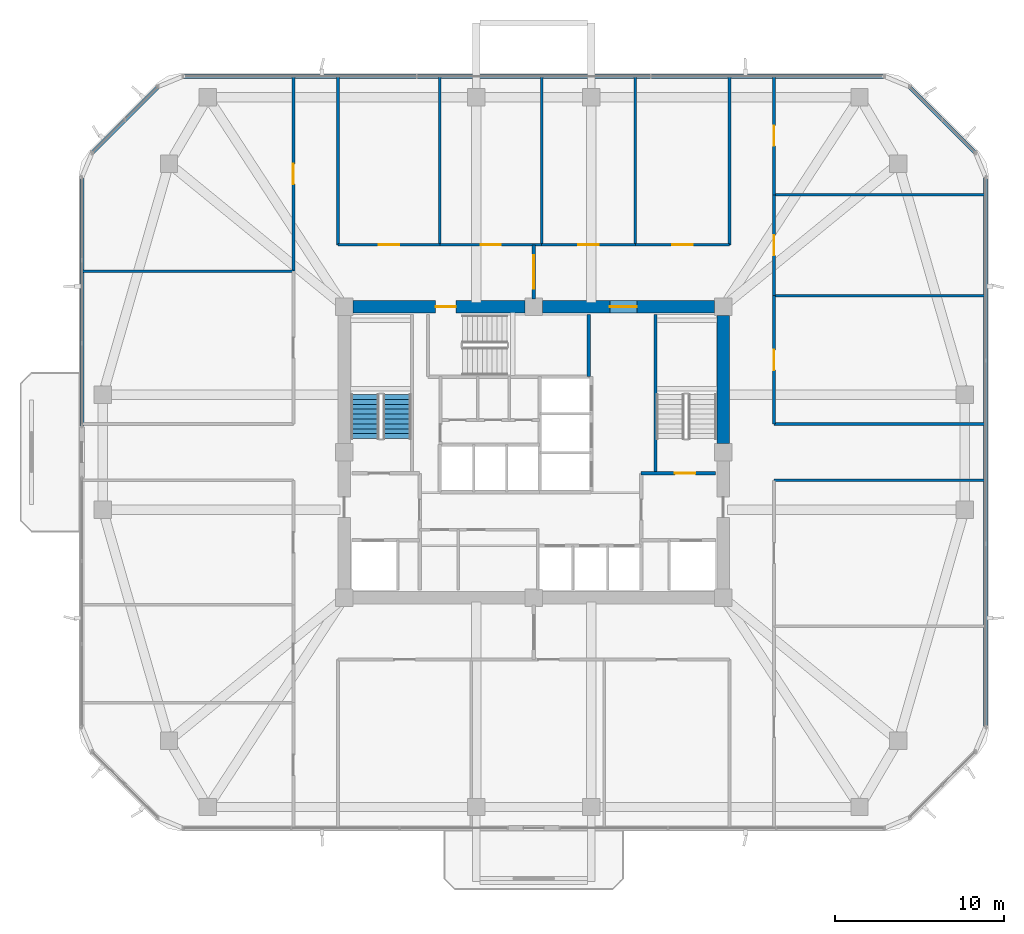
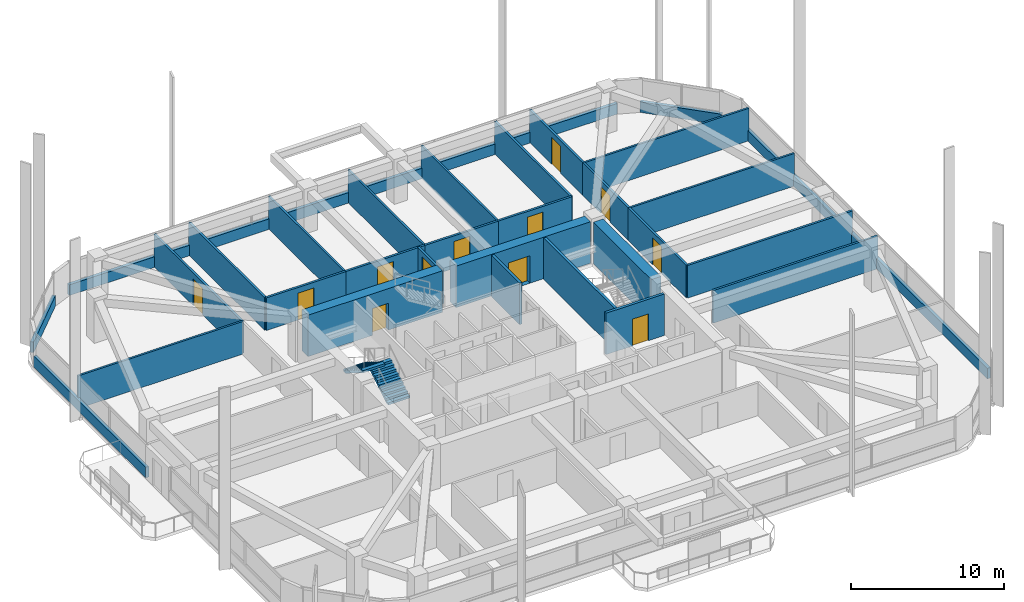
# One storey, part 10 of 15: 30 walls, 12 doors, 2 stair flights, 12 openings, 1 element without a shape of its own.
"""IFC4 building model written with IfcOpenShell, lengths in metres."""

from ifc_helpers import new_model, si_unit, derived_unit, direction, frame, frame_2d, origin, place, context, subcontext, project, spatial, polyline, rectangle, outline, extrude, material, layer, layer_set, type_object, element, fill, aggregate, save


model = new_model("IFC4")

# Units and contexts
model_context = context("Model", 3, precision=1e-05, world=origin(), true_north=direction((0.0, 1.0)))
body_context = subcontext(model_context, "Body", "Model", "MODEL_VIEW")
ifc_project = project(units=[si_unit("LENGTHUNIT", "METRE"), si_unit("AREAUNIT", "SQUARE_METRE"), si_unit("VOLUMEUNIT", "CUBIC_METRE"), si_unit("PLANEANGLEUNIT", "RADIAN"), si_unit("MASSUNIT", "GRAM", prefix="KILO"), derived_unit("THERMALTRANSMITTANCEUNIT", [(si_unit("POWERUNIT", "WATT"), 1), (si_unit("LENGTHUNIT", "METRE"), -2), (si_unit("THERMODYNAMICTEMPERATUREUNIT", "KELVIN"), -1)])], contexts=[model_context])

# Site, building, storey
site_placement = place(None, origin())
site = spatial("IfcSite", under=ifc_project, at=site_placement, CompositionType="ELEMENT")
building_placement = place(site_placement, origin())
building = spatial("IfcBuilding", under=site, at=building_placement, Name="Koralith Skygarden Medical Center", CompositionType="ELEMENT")
storey_placement = place(building_placement, frame((0.0, 0.0, 84.780029296875)))
storey = spatial("IfcBuildingStorey", under=building, at=storey_placement, Name="L21", CompositionType="ELEMENT", Elevation=84.780029296875)

# Walls
ifc_material_1 = material(Name="Gypsum Board Partition")
ifc_layer_1 = layer(ifc_material_1, 0.14990234375)
ifc_layer_set_1 = layer_set([ifc_layer_1], Name="Gypsum Board Partition")
wall_type_1 = type_object("IfcWallType", Name="Clinical Acoustic Partition 150", PredefinedType="PARTITIONING", material=ifc_layer_set_1)
for number, where, z_axis, x_axis, name in (
    (1, (31.450927734375, 38.159912109375, 0.0), (0.0, 0.0, 1.0), (0.0, 1.0, 0.0), "L21 Clinical Acoustic Partition 150 W-PART-L21-N-01"),
    (2, (37.4619140625, 38.159912109375, 0.0), (0.0, 0.0, 1.0), (0.0, 1.0, 0.0), "L21 Clinical Acoustic Partition 150 W-PART-L21-N-02"),
    (3, (43.010986328125, 38.159912109375, 0.0), (0.0, 0.0, 1.0), (0.0, 1.0, 0.0), "L21 Clinical Acoustic Partition 150 W-PART-L21-N-03"),
):
    element("IfcWall", number, at=place(storey_placement, frame(where, z_axis=z_axis, x_axis=x_axis)), inside=storey, type_object=wall_type_1, Name=name, PredefinedType="PARTITIONING", context=body_context, shape_type="SweptSolid", body=[
        extrude(rectangle(XDim=9.940185546875, YDim=0.14990234375, at=frame_2d((4.97021484375, 0.0))), origin(), (0.0, 0.0, 1.0), 2.60986328125),
    ])
for number, where, z_axis, x_axis, name in (
    (4, (22.7900390625, 36.597900390625, 0.0), (0.0, 0.0, 1.0), (-1.0, 0.0, 0.0), "L21 Clinical Acoustic Partition 150 W-PART-L21-WN-01"),
    (5, (51.2099609375, 35.15087890625, 0.0), (0.0, 0.0, 1.0), (1.0, 0.0, 0.0), "L21 Clinical Acoustic Partition 150 W-PART-L21-EN-01"),
    (6, (51.2099609375, 41.115966796875, 0.0), (0.0, 0.0, 1.0), (1.0, 0.0, 0.0), "L21 Clinical Acoustic Partition 150 W-PART-L21-EN-02"),
):
    element("IfcWall", number, at=place(storey_placement, frame(where, z_axis=z_axis, x_axis=x_axis)), inside=storey, type_object=wall_type_1, Name=name, PredefinedType="PARTITIONING", context=body_context, shape_type="SweptSolid", body=[
        extrude(rectangle(XDim=12.489990234375, YDim=0.14990234375, at=frame_2d((6.2451171875, 0.0))), origin(), (0.0, 0.0, 1.0), 2.60986328125),
    ])
ifc_layer_2 = layer(ifc_material_1, 0.1650390625)
ifc_layer_set_2 = layer_set([ifc_layer_2], Name="Gypsum Board Partition")
wall_type_2 = type_object("IfcWallType", Name="Clinical Corridor Partition 165", PredefinedType="PARTITIONING", material=ifc_layer_set_2)
for number, where, z_axis, x_axis, name in (
    (7, (25.429931640625, 38.159912109375, 0.0), (0.0, 0.0, 1.0), (0.0, 1.0, 0.0), "L21 Clinical Corridor Partition 165 W-HCOR-L21-NW"),
    (8, (48.570068359375, 38.159912109375, 0.0), (0.0, 0.0, 1.0), (0.0, 1.0, 0.0), "L21 Clinical Corridor Partition 165 W-HCOR-L21-NE"),
):
    element("IfcWall", number, at=place(storey_placement, frame(where, z_axis=z_axis, x_axis=x_axis)), inside=storey, type_object=wall_type_2, Name=name, PredefinedType="PARTITIONING", context=body_context, shape_type="SweptSolid", body=[
        extrude(rectangle(XDim=9.940185546875, YDim=0.1650390625, at=frame_2d((4.97021484375, 0.0))), origin(), (0.0, 0.0, 1.0), 2.60986328125),
    ])
for number, where, z_axis, x_axis, name in (
    (9, (51.2099609375, 24.239990234375, 0.0), (0.0, 0.0, 1.0), (1.0, 0.0, 0.0), "L21 Clinical Corridor Partition 165 W-HCOR-L21-EWS-E"),
    (10, (51.2099609375, 27.56005859375, 0.0), (0.0, 0.0, 1.0), (1.0, 0.0, 0.0), "L21 Clinical Corridor Partition 165 W-HCOR-L21-EWN-E"),
):
    element("IfcWall", number, at=place(storey_placement, frame(where, z_axis=z_axis, x_axis=x_axis)), inside=storey, type_object=wall_type_2, Name=name, PredefinedType="PARTITIONING", context=body_context, shape_type="SweptSolid", body=[
        extrude(rectangle(XDim=12.489990234375, YDim=0.1650390625, at=frame_2d((6.2451171875, 0.0))), origin(), (0.0, 0.0, 1.0), 2.60986328125),
    ])

# Wall, opening, door
wall_1_placement = place(storey_placement, frame((25.429931640625, 38.159912109375, 0.0), z_axis=(0.0, 0.0, 1.0), x_axis=(1.0, 0.0, 0.0)))
wall_1 = element("IfcWall", 11, at=wall_1_placement, inside=storey, type_object=wall_type_2, Name="L21 Clinical Corridor Partition 165 W-CORR-L21-N-01", PredefinedType="PARTITIONING", context=body_context, shape_type="SweptSolid", body=[
    extrude(rectangle(XDim=6.02099609375, YDim=0.1650390625, at=frame_2d((3.010498046875, 0.0))), origin(), (0.0, 0.0, 1.0), 2.60986328125),
])
opening_1_placement = place(wall_1_placement, frame((2.410888671875, 0.0, 0.0)))
opening_1 = element("IfcOpeningElement", 12, at=opening_1_placement, cuts=wall_1, Name="Opening D-CLN", PredefinedType="OPENING", context=body_context, shape_type="SweptSolid", body=[
    extrude(rectangle(XDim=1.199951171875, YDim=2.14990234375, at=frame_2d((0.60009765625, 1.074951171875))), frame((0.0, 0.092529296875, 0.0), z_axis=(0.0, -1.0, 0.0), x_axis=(1.0, 0.0, 0.0)), (0.0, 0.0, 1.0), 0.18505859375),
])
ifc_material_2 = material(Name="Aluminium 6063-T6", Category="aluminium")
door_type_1 = type_object("IfcDoorType", Name="Clinical Corridor Door D-CLN 1200", OperationType="NOTDEFINED", PredefinedType="DOOR", material=ifc_material_2)
door_1_placement = place(opening_1_placement, origin())
door_1 = element("IfcDoor", 13, at=door_1_placement, inside=storey, type_object=door_type_1, Name="L21 Physician Consultation Office 01 Door", OperationType="SINGLE_SWING_RIGHT", OverallHeight=2.14990234375, OverallWidth=1.199951171875, PredefinedType="DOOR", context=body_context, shape_type="SweptSolid", body=[
    extrude(rectangle(XDim=1.199951171875, YDim=2.14990234375, at=frame_2d((0.60009765625, 1.074951171875))), frame((0.0, 0.02490234375, 0.0), z_axis=(0.0, -1.0, 0.0), x_axis=(1.0, 0.0, 0.0)), (0.0, 0.0, 1.0), 0.050048828125),
])
fill(opening_1, door_1)

wall_2_placement = place(storey_placement, frame((31.450927734375, 38.159912109375, 0.0), z_axis=(0.0, 0.0, 1.0), x_axis=(1.0, 0.0, 0.0)))
wall_2 = element("IfcWall", 14, at=wall_2_placement, inside=storey, type_object=wall_type_2, Name="L21 Clinical Corridor Partition 165 W-CORR-L21-N-02", PredefinedType="PARTITIONING", context=body_context, shape_type="SweptSolid", body=[
    extrude(rectangle(XDim=6.010986328125, YDim=0.1650390625, at=frame_2d((3.00537109375, 0.0))), origin(), (0.0, 0.0, 1.0), 2.60986328125),
])
opening_2_placement = place(wall_2_placement, frame((2.406005859375, 0.0, 0.0)))
opening_2 = element("IfcOpeningElement", 15, at=opening_2_placement, cuts=wall_2, Name="Opening D-CLN", PredefinedType="OPENING", context=body_context, shape_type="SweptSolid", body=[
    extrude(rectangle(XDim=1.199951171875, YDim=2.14990234375, at=frame_2d((0.60009765625, 1.074951171875))), frame((0.0, 0.092529296875, 0.0), z_axis=(0.0, -1.0, 0.0), x_axis=(1.0, 0.0, 0.0)), (0.0, 0.0, 1.0), 0.18505859375),
])
door_2_placement = place(opening_2_placement, origin())
door_2 = element("IfcDoor", 16, at=door_2_placement, inside=storey, type_object=door_type_1, Name="L21 Clinical Case Conference Room 02 Door", OperationType="SINGLE_SWING_LEFT", OverallHeight=2.14990234375, OverallWidth=1.199951171875, PredefinedType="DOOR", context=body_context, shape_type="SweptSolid", body=[
    extrude(rectangle(XDim=1.199951171875, YDim=2.14990234375, at=frame_2d((0.60009765625, 1.074951171875))), frame((0.0, 0.02490234375, 0.0), z_axis=(0.0, -1.0, 0.0), x_axis=(1.0, 0.0, 0.0)), (0.0, 0.0, 1.0), 0.050048828125),
])
fill(opening_2, door_2)

wall_3_placement = place(storey_placement, frame((37.4619140625, 38.159912109375, 0.0), z_axis=(0.0, 0.0, 1.0), x_axis=(1.0, 0.0, 0.0)))
wall_3 = element("IfcWall", 17, at=wall_3_placement, inside=storey, type_object=wall_type_2, Name="L21 Clinical Corridor Partition 165 W-CORR-L21-N-03", PredefinedType="PARTITIONING", context=body_context, shape_type="SweptSolid", body=[
    extrude(rectangle(XDim=5.549072265625, YDim=0.1650390625, at=frame_2d((2.7744140625, 0.0))), origin(), (0.0, 0.0, 1.0), 2.60986328125),
])
opening_3_placement = place(wall_3_placement, frame((2.174072265625, 0.0, 0.0)))
opening_3 = element("IfcOpeningElement", 18, at=opening_3_placement, cuts=wall_3, Name="Opening D-CLN", PredefinedType="OPENING", context=body_context, shape_type="SweptSolid", body=[
    extrude(rectangle(XDim=1.199951171875, YDim=2.14990234375, at=frame_2d((0.60009765625, 1.074951171875))), frame((0.0, 0.092529296875, 0.0), z_axis=(0.0, -1.0, 0.0), x_axis=(1.0, 0.0, 0.0)), (0.0, 0.0, 1.0), 0.18505859375),
])
door_3_placement = place(opening_3_placement, origin())
door_3 = element("IfcDoor", 19, at=door_3_placement, inside=storey, type_object=door_type_1, Name="L21 Patient Nutrition Pantry 03 Door", OperationType="SINGLE_SWING_RIGHT", OverallHeight=2.14990234375, OverallWidth=1.199951171875, PredefinedType="DOOR", context=body_context, shape_type="SweptSolid", body=[
    extrude(rectangle(XDim=1.199951171875, YDim=2.14990234375, at=frame_2d((0.60009765625, 1.074951171875))), frame((0.0, 0.02490234375, 0.0), z_axis=(0.0, -1.0, 0.0), x_axis=(1.0, 0.0, 0.0)), (0.0, 0.0, 1.0), 0.050048828125),
])
fill(opening_3, door_3)

wall_4_placement = place(storey_placement, frame((43.010986328125, 38.159912109375, 0.0), z_axis=(0.0, 0.0, 1.0), x_axis=(1.0, 0.0, 0.0)))
wall_4 = element("IfcWall", 20, at=wall_4_placement, inside=storey, type_object=wall_type_2, Name="L21 Clinical Corridor Partition 165 W-CORR-L21-N-04", PredefinedType="PARTITIONING", context=body_context, shape_type="SweptSolid", body=[
    extrude(rectangle(XDim=5.55908203125, YDim=0.1650390625, at=frame_2d((2.779541015625, 0.0))), origin(), (0.0, 0.0, 1.0), 2.60986328125),
])
opening_4_placement = place(wall_4_placement, frame((2.178955078125, 0.0, 0.0)))
opening_4 = element("IfcOpeningElement", 21, at=opening_4_placement, cuts=wall_4, Name="Opening D-CLN", PredefinedType="OPENING", context=body_context, shape_type="SweptSolid", body=[
    extrude(rectangle(XDim=1.199951171875, YDim=2.14990234375, at=frame_2d((0.60009765625, 1.074951171875))), frame((0.0, 0.092529296875, 0.0), z_axis=(0.0, -1.0, 0.0), x_axis=(1.0, 0.0, 0.0)), (0.0, 0.0, 1.0), 0.18505859375),
])
door_4_placement = place(opening_4_placement, origin())
door_4 = element("IfcDoor", 22, at=door_4_placement, inside=storey, type_object=door_type_1, Name="L21 Clinical Consultation Office 04 Door", OperationType="SINGLE_SWING_LEFT", OverallHeight=2.14990234375, OverallWidth=1.199951171875, PredefinedType="DOOR", context=body_context, shape_type="SweptSolid", body=[
    extrude(rectangle(XDim=1.199951171875, YDim=2.14990234375, at=frame_2d((0.60009765625, 1.074951171875))), frame((0.0, 0.02490234375, 0.0), z_axis=(0.0, -1.0, 0.0), x_axis=(1.0, 0.0, 0.0)), (0.0, 0.0, 1.0), 0.050048828125),
])
fill(opening_4, door_4)

wall_5_placement = place(storey_placement, frame((22.7900390625, 36.597900390625, 0.0), z_axis=(0.0, 0.0, 1.0), x_axis=(0.0, 1.0, 0.0)))
wall_5 = element("IfcWall", 23, at=wall_5_placement, inside=storey, type_object=wall_type_2, Name="L21 Clinical Corridor Partition 165 W-CORR-L21-WN-02", PredefinedType="PARTITIONING", context=body_context, shape_type="SweptSolid", body=[
    extrude(rectangle(XDim=11.502197265625, YDim=0.1650390625, at=frame_2d((5.7509765625, 0.0))), origin(), (0.0, 0.0, 1.0), 2.60986328125),
])
opening_5_placement = place(wall_5_placement, frame((5.15087890625, 0.0, 0.0)))
opening_5 = element("IfcOpeningElement", 24, at=opening_5_placement, cuts=wall_5, Name="Opening D-CLN", PredefinedType="OPENING", context=body_context, shape_type="SweptSolid", body=[
    extrude(rectangle(XDim=1.199951171875, YDim=2.14990234375, at=frame_2d((0.60009765625, 1.074951171875))), frame((0.0, 0.092529296875, 0.0), z_axis=(0.0, -1.0, 0.0), x_axis=(1.0, 0.0, 0.0)), (0.0, 0.0, 1.0), 0.18505859375),
])
door_5_placement = place(opening_5_placement, frame((1.199951171875, 0.0, 0.0), z_axis=(0.0, 0.0, 1.0), x_axis=(-1.0, 0.0, 0.0)))
door_5 = element("IfcDoor", 25, at=door_5_placement, inside=storey, type_object=door_type_1, Name="L21 Patient Nutrition Pantry 12 Door", OperationType="SINGLE_SWING_LEFT", OverallHeight=2.14990234375, OverallWidth=1.199951171875, PredefinedType="DOOR", context=body_context, shape_type="SweptSolid", body=[
    extrude(rectangle(XDim=1.199951171875, YDim=2.14990234375, at=frame_2d((0.60009765625, 1.074951171875))), frame((0.0, 0.02490234375, 0.0), z_axis=(0.0, -1.0, 0.0), x_axis=(1.0, 0.0, 0.0)), (0.0, 0.0, 1.0), 0.050048828125),
])
fill(opening_5, door_5)

wall_6_placement = place(storey_placement, frame((51.2099609375, 27.56005859375, 0.0), z_axis=(0.0, 0.0, 1.0), x_axis=(0.0, 1.0, 0.0)))
wall_6 = element("IfcWall", 26, at=wall_6_placement, inside=storey, type_object=wall_type_2, Name="L21 Clinical Corridor Partition 165 W-CORR-L21-EN-01", PredefinedType="PARTITIONING", context=body_context, shape_type="SweptSolid", body=[
    extrude(rectangle(XDim=7.5908203125, YDim=0.1650390625, at=frame_2d((3.79541015625, 0.0))), origin(), (0.0, 0.0, 1.0), 2.60986328125),
])
opening_6_placement = place(wall_6_placement, frame((3.196044921875, 0.0, 0.0)))
opening_6 = element("IfcOpeningElement", 27, at=opening_6_placement, cuts=wall_6, Name="Opening D-CLN", PredefinedType="OPENING", context=body_context, shape_type="SweptSolid", body=[
    extrude(rectangle(XDim=1.199951171875, YDim=2.14990234375, at=frame_2d((0.60009765625, 1.074951171875))), frame((0.0, 0.092529296875, 0.0), z_axis=(0.0, -1.0, 0.0), x_axis=(1.0, 0.0, 0.0)), (0.0, 0.0, 1.0), 0.18505859375),
])
door_6_placement = place(opening_6_placement, origin())
door_6 = element("IfcDoor", 28, at=door_6_placement, inside=storey, type_object=door_type_1, Name="L21 Clinical Case Conference Room 15 Door", OperationType="SINGLE_SWING_RIGHT", OverallHeight=2.14990234375, OverallWidth=1.199951171875, PredefinedType="DOOR", context=body_context, shape_type="SweptSolid", body=[
    extrude(rectangle(XDim=1.199951171875, YDim=2.14990234375, at=frame_2d((0.60009765625, 1.074951171875))), frame((0.0, 0.02490234375, 0.0), z_axis=(0.0, -1.0, 0.0), x_axis=(1.0, 0.0, 0.0)), (0.0, 0.0, 1.0), 0.050048828125),
])
fill(opening_6, door_6)

wall_7_placement = place(storey_placement, frame((51.2099609375, 35.15087890625, 0.0), z_axis=(0.0, 0.0, 1.0), x_axis=(0.0, 1.0, 0.0)))
wall_7 = element("IfcWall", 29, at=wall_7_placement, inside=storey, type_object=wall_type_2, Name="L21 Clinical Corridor Partition 165 W-CORR-L21-EN-02", PredefinedType="PARTITIONING", context=body_context, shape_type="SweptSolid", body=[
    extrude(rectangle(XDim=5.965087890625, YDim=0.1650390625, at=frame_2d((2.982421875, 0.0))), origin(), (0.0, 0.0, 1.0), 2.60986328125),
])
opening_7_placement = place(wall_7_placement, frame((2.382080078125, 0.0, 0.0)))
opening_7 = element("IfcOpeningElement", 30, at=opening_7_placement, cuts=wall_7, Name="Opening D-CLN", PredefinedType="OPENING", context=body_context, shape_type="SweptSolid", body=[
    extrude(rectangle(XDim=1.199951171875, YDim=2.14990234375, at=frame_2d((0.60009765625, 1.074951171875))), frame((0.0, 0.092529296875, 0.0), z_axis=(0.0, -1.0, 0.0), x_axis=(1.0, 0.0, 0.0)), (0.0, 0.0, 1.0), 0.18505859375),
])
door_7_placement = place(opening_7_placement, origin())
door_7 = element("IfcDoor", 31, at=door_7_placement, inside=storey, type_object=door_type_1, Name="L21 Patient Nutrition Pantry 16 Door", OperationType="SINGLE_SWING_LEFT", OverallHeight=2.14990234375, OverallWidth=1.199951171875, PredefinedType="DOOR", context=body_context, shape_type="SweptSolid", body=[
    extrude(rectangle(XDim=1.199951171875, YDim=2.14990234375, at=frame_2d((0.60009765625, 1.074951171875))), frame((0.0, 0.02490234375, 0.0), z_axis=(0.0, -1.0, 0.0), x_axis=(1.0, 0.0, 0.0)), (0.0, 0.0, 1.0), 0.050048828125),
])
fill(opening_7, door_7)

wall_8_placement = place(storey_placement, frame((51.2099609375, 41.115966796875, 0.0), z_axis=(0.0, 0.0, 1.0), x_axis=(0.0, 1.0, 0.0)))
wall_8 = element("IfcWall", 32, at=wall_8_placement, inside=storey, type_object=wall_type_2, Name="L21 Clinical Corridor Partition 165 W-CORR-L21-EN-03", PredefinedType="PARTITIONING", context=body_context, shape_type="SweptSolid", body=[
    extrude(rectangle(XDim=6.984130859375, YDim=0.1650390625, at=frame_2d((3.4921875, 0.0))), origin(), (0.0, 0.0, 1.0), 2.60986328125),
])
opening_8_placement = place(wall_8_placement, frame((2.89208984375, 0.0, 0.0)))
opening_8 = element("IfcOpeningElement", 33, at=opening_8_placement, cuts=wall_8, Name="Opening D-CLN", PredefinedType="OPENING", context=body_context, shape_type="SweptSolid", body=[
    extrude(rectangle(XDim=1.199951171875, YDim=2.14990234375, at=frame_2d((0.60009765625, 1.074951171875))), frame((0.0, 0.092529296875, 0.0), z_axis=(0.0, -1.0, 0.0), x_axis=(1.0, 0.0, 0.0)), (0.0, 0.0, 1.0), 0.18505859375),
])
door_8_placement = place(opening_8_placement, origin())
door_8 = element("IfcDoor", 34, at=door_8_placement, inside=storey, type_object=door_type_1, Name="L21 Clinical Consultation Office 17 Door", OperationType="SINGLE_SWING_RIGHT", OverallHeight=2.14990234375, OverallWidth=1.199951171875, PredefinedType="DOOR", context=body_context, shape_type="SweptSolid", body=[
    extrude(rectangle(XDim=1.199951171875, YDim=2.14990234375, at=frame_2d((0.60009765625, 1.074951171875))), frame((0.0, 0.02490234375, 0.0), z_axis=(0.0, -1.0, 0.0), x_axis=(1.0, 0.0, 0.0)), (0.0, 0.0, 1.0), 0.050048828125),
])
fill(opening_8, door_8)

ifc_layer_3 = layer(ifc_material_1, 0.179931640625)
ifc_layer_set_3 = layer_set([ifc_layer_3], Name="Gypsum Board Partition")
wall_type_3 = type_object("IfcWallType", Name="Group I-2 Smoke Barrier Wall 180", PredefinedType="PARTITIONING", material=ifc_layer_set_3)
wall_9_placement = place(storey_placement, frame((37.0, 34.949951171875, 0.0), z_axis=(0.0, 0.0, 1.0), x_axis=(0.0, 1.0, 0.0)))
wall_9 = element("IfcWall", 35, at=wall_9_placement, inside=storey, type_object=wall_type_3, Name="L21 Group I-2 Smoke Barrier Wall 180 W-SMK-L21-N", PredefinedType="PARTITIONING", context=body_context, shape_type="SweptSolid", body=[
    extrude(rectangle(XDim=3.2099609375, YDim=0.179931640625, at=frame_2d((1.60498046875, 0.0))), origin(), (0.0, 0.0, 1.0), 2.60986328125),
])
opening_9_placement = place(wall_9_placement, frame((0.60498046875, 0.0, 0.0)))
opening_9 = element("IfcOpeningElement", 36, at=opening_9_placement, cuts=wall_9, Name="Opening D-SMK", PredefinedType="OPENING", context=body_context, shape_type="SweptSolid", body=[
    extrude(rectangle(XDim=2.0, YDim=2.199951171875, at=frame_2d((1.0, 1.10009765625))), frame((0.0, 0.099853515625, 0.0), z_axis=(0.0, -1.0, 0.0), x_axis=(1.0, 0.0, 0.0)), (0.0, 0.0, 1.0), 0.199951171875),
])
ifc_material_3 = material(Name="Steel ASTM A500 Grade C", Category="steel")
door_type_2 = type_object("IfcDoorType", Name="Cross-Corridor Double Smoke Door FD60S 2000", OperationType="NOTDEFINED", PredefinedType="DOOR", material=ifc_material_3)
door_9_placement = place(opening_9_placement, origin())
door_9 = element("IfcDoor", 37, at=door_9_placement, inside=storey, type_object=door_type_2, Name="L21 N Smoke Compartment Cross-Corridor Door", OperationType="DOUBLE_DOOR_SINGLE_SWING", OverallHeight=2.199951171875, OverallWidth=2.0, PredefinedType="DOOR", context=body_context, shape_type="SweptSolid", body=[
    extrude(rectangle(XDim=2.0, YDim=2.199951171875, at=frame_2d((1.0, 1.10009765625))), frame((0.0, 0.02490234375, 0.0), z_axis=(0.0, -1.0, 0.0), x_axis=(1.0, 0.0, 0.0)), (0.0, 0.0, 1.0), 0.050048828125),
])
fill(opening_9, door_9)

# Walls
ifc_material_4 = material(Name="Warm Oolitic Limestone Cladding", Category="masonry")
ifc_layer_4 = layer(ifc_material_4, 0.239990234375)
ifc_layer_set_4 = layer_set([ifc_layer_4], Name="Warm Oolitic Limestone Cladding")
wall_type_4 = type_object("IfcWallType", Name="Limestone Spandrel Sill Backup Wall 240", PredefinedType="SOLIDWALL", material=ifc_layer_set_4)
wall_10_placement = place(storey_placement, frame((63.719970703125, 9.655029296875, 0.0), z_axis=(0.0, 0.0, 1.0), x_axis=(0.0, 1.0, 0.0)))
element("IfcWall", 38, at=wall_10_placement, inside=storey, type_object=wall_type_4, Name="L21 Sill Spandrel E", PredefinedType="SOLIDWALL", context=body_context, shape_type="SweptSolid", body=[
    extrude(rectangle(XDim=32.489990234375, YDim=0.239990234375, at=frame_2d((16.2451171875, 0.0))), origin(), (0.0, 0.0, 1.0), 0.849853515625),
])
wall_11_placement = place(storey_placement, frame((63.118896484375, 43.595947265625, 0.0), z_axis=(0.0, 0.0, 1.0), x_axis=(-0.707084777957, 0.707128783731, 0.0)))
element("IfcWall", 39, at=wall_11_placement, inside=storey, type_object=wall_type_4, Name="L21 Sill Spandrel NE", PredefinedType="SOLIDWALL", context=body_context, shape_type="SweptSolid", body=[
    extrude(rectangle(XDim=5.5478515625, YDim=0.239990234375, at=frame_2d((2.77392578125, 0.0))), origin(), (0.0, 0.0, 1.0), 0.849853515625),
])
wall_12_placement = place(storey_placement, frame((57.7451171875, 48.1201171875, 0.0), z_axis=(0.0, 0.0, 1.0), x_axis=(-1.0, 0.0, 0.0)))
element("IfcWall", 40, at=wall_12_placement, inside=storey, type_object=wall_type_4, Name="L21 Sill Spandrel N", PredefinedType="SOLIDWALL", context=body_context, shape_type="SweptSolid", body=[
    extrude(rectangle(XDim=41.490234375, YDim=0.239990234375, at=frame_2d((20.7451171875, 0.0))), origin(), (0.0, 0.0, 1.0), 0.849853515625),
])
wall_13_placement = place(storey_placement, frame((14.803955078125, 47.51904296875, 0.0), z_axis=(0.0, 0.0, 1.0), x_axis=(-0.707084777957, -0.707128783731, 0.0)))
element("IfcWall", 41, at=wall_13_placement, inside=storey, type_object=wall_type_4, Name="L21 Sill Spandrel NW", PredefinedType="SOLIDWALL", context=body_context, shape_type="SweptSolid", body=[
    extrude(rectangle(XDim=5.5478515625, YDim=0.239990234375, at=frame_2d((2.77392578125, 0.0))), origin(), (0.0, 0.0, 1.0), 0.849853515625),
])
wall_14_placement = place(storey_placement, frame((10.280029296875, 42.14501953125, 0.0), z_axis=(0.0, 0.0, 1.0), x_axis=(0.0, -1.0, 0.0)))
element("IfcWall", 42, at=wall_14_placement, inside=storey, type_object=wall_type_4, Name="L21 Sill Spandrel W-L", PredefinedType="SOLIDWALL", context=body_context, shape_type="SweptSolid", body=[
    extrude(rectangle(XDim=14.7041015625, YDim=0.239990234375, at=frame_2d((7.35205078125, 0.0))), origin(), (0.0, 0.0, 1.0), 0.849853515625),
])
ifc_material_5 = material(Name="Concrete C70/85", Category="concrete")
ifc_layer_5 = layer(ifc_material_5, 0.75)
ifc_layer_set_5 = layer_set([ifc_layer_5], Name="Concrete C70/85")
wall_type_5 = type_object("IfcWallType", Name="Mid Core Shear Wall 750", PredefinedType="SHEAR", material=ifc_layer_set_5)
wall_15_placement = place(storey_placement, frame((48.199951171875, 26.405029296875, 0.0), z_axis=(0.0, 0.0, 1.0), x_axis=(0.0, 1.0, 0.0)))
element("IfcWall", 43, at=wall_15_placement, inside=storey, type_object=wall_type_5, Name="L21 Core Shear Wall Segment 4", PredefinedType="SHEAR", context=body_context, shape_type="SweptSolid", body=[
    extrude(rectangle(XDim=7.590087890625, YDim=0.75, at=frame_2d((3.794921875, 0.0))), origin(), (0.0, 0.0, 1.0), 3.320068359375),
])

# Wall, opening, door
wall_16_placement = place(storey_placement, frame((47.695068359375, 34.5, 0.0), z_axis=(0.0, 0.0, 1.0), x_axis=(-1.0, 0.0, 0.0)))
wall_16 = element("IfcWall", 44, at=wall_16_placement, inside=storey, type_object=wall_type_5, Name="L21 Core Shear Wall Segment 5", PredefinedType="SHEAR", context=body_context, shape_type="SweptSolid", body=[
    extrude(rectangle(XDim=10.190185546875, YDim=0.75, at=frame_2d((5.09521484375, 0.0))), origin(), (0.0, 0.0, 1.0), 3.320068359375),
])
opening_10_placement = place(wall_16_placement, frame((4.594970703125, 0.0, 0.0)))
opening_10 = element("IfcOpeningElement", 45, at=opening_10_placement, cuts=wall_16, Name="Opening D-DBL", PredefinedType="OPENING", context=body_context, shape_type="SweptSolid", body=[
    extrude(rectangle(XDim=1.60009765625, YDim=2.199951171875, at=frame_2d((0.800048828125, 1.10009765625))), frame((0.0, 0.385009765625, 0.0), z_axis=(0.0, -1.0, 0.0), x_axis=(1.0, 0.0, 0.0)), (0.0, 0.0, 1.0), 0.77001953125),
])
door_type_3 = type_object("IfcDoorType", Name="Double Clinical Suite Door D-DBL 1600", OperationType="NOTDEFINED", PredefinedType="DOOR", material=ifc_material_2)
door_10_placement = place(opening_10_placement, frame((1.60009765625, 0.0, 0.0), z_axis=(0.0, 0.0, 1.0), x_axis=(-1.0, 0.0, 0.0)))
door_10 = element("IfcDoor", 46, at=door_10_placement, inside=storey, type_object=door_type_3, Name="L21 North-East Corridor to Elevator Lobby Door", OperationType="DOUBLE_DOOR_SINGLE_SWING", OverallHeight=2.199951171875, OverallWidth=1.60009765625, PredefinedType="DOOR", context=body_context, shape_type="SweptSolid", body=[
    extrude(rectangle(XDim=1.60009765625, YDim=2.199951171875, at=frame_2d((0.800048828125, 1.10009765625))), frame((0.0, 0.02490234375, 0.0), z_axis=(0.0, -1.0, 0.0), x_axis=(1.0, 0.0, 0.0)), (0.0, 0.0, 1.0), 0.050048828125),
])
fill(opening_10, door_10)

wall_17_placement = place(storey_placement, frame((36.4951171875, 34.5, 0.0), z_axis=(0.0, 0.0, 1.0), x_axis=(-1.0, 0.0, 0.0)))
wall_17 = element("IfcWall", 47, at=wall_17_placement, inside=storey, type_object=wall_type_5, Name="L21 Core Shear Wall Segment 6", PredefinedType="SHEAR", context=body_context, shape_type="SweptSolid", body=[
    extrude(rectangle(XDim=10.190185546875, YDim=0.75, at=frame_2d((5.09521484375, 0.0))), origin(), (0.0, 0.0, 1.0), 3.320068359375),
])
opening_11_placement = place(wall_17_placement, frame((4.094970703125, 0.0, 0.0)))
opening_11 = element("IfcOpeningElement", 48, at=opening_11_placement, cuts=wall_17, Name="Opening D-ST60", PredefinedType="OPENING", context=body_context, shape_type="SweptSolid", body=[
    extrude(rectangle(XDim=1.199951171875, YDim=2.14990234375, at=frame_2d((0.60009765625, 1.074951171875))), frame((0.0, 0.385009765625, 0.0), z_axis=(0.0, -1.0, 0.0), x_axis=(1.0, 0.0, 0.0)), (0.0, 0.0, 1.0), 0.77001953125),
])
door_type_4 = type_object("IfcDoorType", Name="Smokeproof Stair Fire Door FD60S 1200", OperationType="NOTDEFINED", PredefinedType="DOOR", material=ifc_material_3)
door_11_placement = place(opening_11_placement, frame((1.199951171875, 0.0, 0.0), z_axis=(0.0, 0.0, 1.0), x_axis=(-1.0, 0.0, 0.0)))
door_11 = element("IfcDoor", 49, at=door_11_placement, inside=storey, type_object=door_type_4, Name="L21 Exit Stair ST3 Fire Door", OperationType="SINGLE_SWING_LEFT", OverallHeight=2.14990234375, OverallWidth=1.199951171875, PredefinedType="DOOR", context=body_context, shape_type="SweptSolid", body=[
    extrude(rectangle(XDim=1.199951171875, YDim=2.14990234375, at=frame_2d((0.60009765625, 1.074951171875))), frame((0.0, 0.02490234375, 0.0), z_axis=(0.0, -1.0, 0.0), x_axis=(1.0, 0.0, 0.0)), (0.0, 0.0, 1.0), 0.050048828125),
])
fill(opening_11, door_11)

# Wall
ifc_material_6 = material(Name="Concrete C45/55", Category="concrete")
ifc_layer_6 = layer(ifc_material_6, 0.199951171875)
ifc_layer_set_6 = layer_set([ifc_layer_6], Name="Concrete C45/55")
wall_type_6 = type_object("IfcWallType", Name="Structural Stair Shaft Wall 200", PredefinedType="SHEAR", material=ifc_layer_set_6)
wall_18_placement = place(storey_placement, frame((44.199951171875, 24.64990234375, 0.0), z_axis=(0.0, 0.0, 1.0), x_axis=(0.0, 1.0, 0.0)))
element("IfcWall", 50, at=wall_18_placement, inside=storey, type_object=wall_type_6, Name="L21 Structural Stair Shaft Wall 200 W-CORE-L21-ST2-W", PredefinedType="SHEAR", context=body_context, shape_type="SweptSolid", body=[
    extrude(rectangle(XDim=9.400146484375, YDim=0.199951171875, at=frame_2d((4.7001953125, 0.0))), origin(), (0.0, 0.0, 1.0), 3.320068359375),
])

# Wall, opening, door
wall_19_placement = place(storey_placement, frame((43.35009765625, 24.64990234375, 0.0), z_axis=(0.0, 0.0, 1.0), x_axis=(1.0, 0.0, 0.0)))
wall_19 = element("IfcWall", 51, at=wall_19_placement, inside=storey, type_object=wall_type_6, Name="L21 Structural Stair Shaft Wall 200 W-CORE-L21-ST2-S", PredefinedType="SHEAR", context=body_context, shape_type="SweptSolid", body=[
    extrude(rectangle(XDim=4.39990234375, YDim=0.199951171875, at=frame_2d((2.199951171875, 0.0))), origin(), (0.0, 0.0, 1.0), 3.320068359375),
])
opening_12_placement = place(wall_19_placement, frame((2.0, 0.0, 0.0)))
opening_12 = element("IfcOpeningElement", 52, at=opening_12_placement, cuts=wall_19, Name="Opening D-ST60", PredefinedType="OPENING", context=body_context, shape_type="SweptSolid", body=[
    extrude(rectangle(XDim=1.199951171875, YDim=2.14990234375, at=frame_2d((0.60009765625, 1.074951171875))), frame((0.0, 0.10986328125, 0.0), z_axis=(0.0, -1.0, 0.0), x_axis=(1.0, 0.0, 0.0)), (0.0, 0.0, 1.0), 0.219970703125),
])
door_12_placement = place(opening_12_placement, origin())
door_12 = element("IfcDoor", 53, at=door_12_placement, inside=storey, type_object=door_type_4, Name="L21 Exit Stair ST2 Fire Door", OperationType="SINGLE_SWING_RIGHT", OverallHeight=2.14990234375, OverallWidth=1.199951171875, PredefinedType="DOOR", context=body_context, shape_type="SweptSolid", body=[
    extrude(rectangle(XDim=1.199951171875, YDim=2.14990234375, at=frame_2d((0.60009765625, 1.074951171875))), frame((0.0, 0.02490234375, 0.0), z_axis=(0.0, -1.0, 0.0), x_axis=(1.0, 0.0, 0.0)), (0.0, 0.0, 1.0), 0.050048828125),
])
fill(opening_12, door_12)

# Wall
wall_20_placement = place(storey_placement, frame((40.25, 30.360107421875, 0.0), z_axis=(0.0, 0.0, 1.0), x_axis=(0.0, 1.0, 0.0)))
element("IfcWall", 54, at=wall_20_placement, inside=storey, type_object=wall_type_6, Name="L21 Structural Stair Shaft Wall 200 W-CORE-L21-ST3-E", PredefinedType="SHEAR", context=body_context, shape_type="SweptSolid", body=[
    extrude(rectangle(XDim=3.68994140625, YDim=0.199951171875, at=frame_2d((1.844970703125, 0.0))), origin(), (0.0, 0.0, 1.0), 3.320068359375),
])

# Stair, stair flights
stair_type = type_object("IfcStairType", Name="Core Exit Dogleg Concrete Stair", PredefinedType="HALF_TURN_STAIR", material=ifc_material_6)
stair_placement = place(storey_placement, origin())
stair = element("IfcStair", 55, at=stair_placement, inside=storey, type_object=stair_type, Name="L21 Smokeproof Exit Stair ST1", PredefinedType="HALF_TURN_STAIR")
stair_flight_type = type_object("IfcStairFlightType", Name="Core Exit Concrete Stair Flight 1650", PredefinedType="STRAIGHT", material=ifc_material_6)
stair_flight_1_placement = place(storey_placement, frame((28.925048828125, 26.699951171875, 0.0), z_axis=(0.0, 0.0, 1.0), x_axis=(0.0, 1.0, 0.0)))
stair_flight_1 = element("IfcStairFlight", 56, at=stair_flight_1_placement, type_object=stair_flight_type, Name="ST1 flight 1", NumberOfRisers=10, NumberOfTreads=9, PredefinedType="STRAIGHT", RiserHeight=0.18, TreadLength=0.29, context=body_context, shape_type="SweptSolid", body=[
    extrude(outline(polyline([(0.0, 0.0), (0.0, 0.179931640625), (0.2900390625, 0.179931640625), (0.2900390625, 0.360107421875), (0.580078125, 0.360107421875), (0.580078125, 0.5400390625), (0.8701171875, 0.5400390625), (0.8701171875, 0.719970703125), (1.159912109375, 0.719970703125), (1.159912109375, 0.89990234375), (1.449951171875, 0.89990234375), (1.449951171875, 1.080078125), (1.739990234375, 1.080078125), (1.739990234375, 1.260009765625), (2.030029296875, 1.260009765625), (2.030029296875, 1.43994140625), (2.320068359375, 1.43994140625), (2.320068359375, 1.6201171875), (2.610107421875, 1.6201171875), (2.610107421875, 1.800048828125), (2.610107421875, 1.443603515625), (0.2841796875, 0.0), (0.0, 0.0)])), frame((0.0, 0.824951171875, 0.0), z_axis=(0.0, -1.0, 0.0), x_axis=(1.0, 0.0, 0.0)), (0.0, 0.0, 1.0), 1.64990234375),
])
stair_flight_2_placement = place(storey_placement, frame((27.02490234375, 29.31005859375, 1.800048828125), z_axis=(0.0, 0.0, 1.0), x_axis=(0.0, -1.0, 0.0)))
stair_flight_2 = element("IfcStairFlight", 57, at=stair_flight_2_placement, type_object=stair_flight_type, Name="ST1 flight 2", NumberOfRisers=10, NumberOfTreads=9, PredefinedType="STRAIGHT", RiserHeight=0.18, TreadLength=0.29, context=body_context, shape_type="SweptSolid", body=[
    extrude(outline(polyline([(0.0, 0.0), (0.0, 0.179931640625), (0.2900390625, 0.179931640625), (0.2900390625, 0.360107421875), (0.580078125, 0.360107421875), (0.580078125, 0.5400390625), (0.8701171875, 0.5400390625), (0.8701171875, 0.719970703125), (1.159912109375, 0.719970703125), (1.159912109375, 0.89990234375), (1.449951171875, 0.89990234375), (1.449951171875, 1.080078125), (1.739990234375, 1.080078125), (1.739990234375, 1.260009765625), (2.030029296875, 1.260009765625), (2.030029296875, 1.43994140625), (2.320068359375, 1.43994140625), (2.320068359375, 1.6201171875), (2.610107421875, 1.6201171875), (2.610107421875, 1.800048828125), (2.610107421875, 1.443603515625), (0.2841796875, 0.0), (0.0, 0.0)])), frame((0.0, 0.824951171875, 0.0), z_axis=(0.0, -1.0, 0.0), x_axis=(1.0, 0.0, 0.0)), (0.0, 0.0, 1.0), 1.64990234375),
])
aggregate(stair, [stair_flight_1, stair_flight_2])

save(model, "model.ifc")
